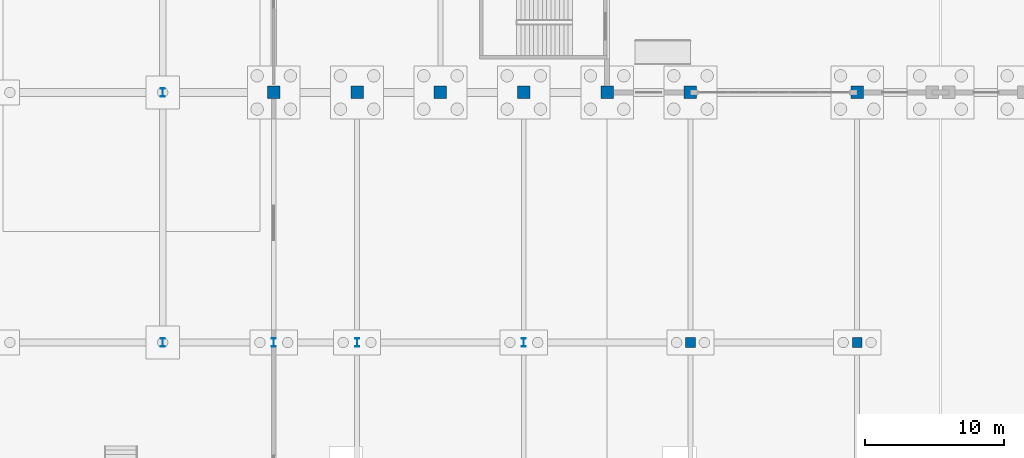
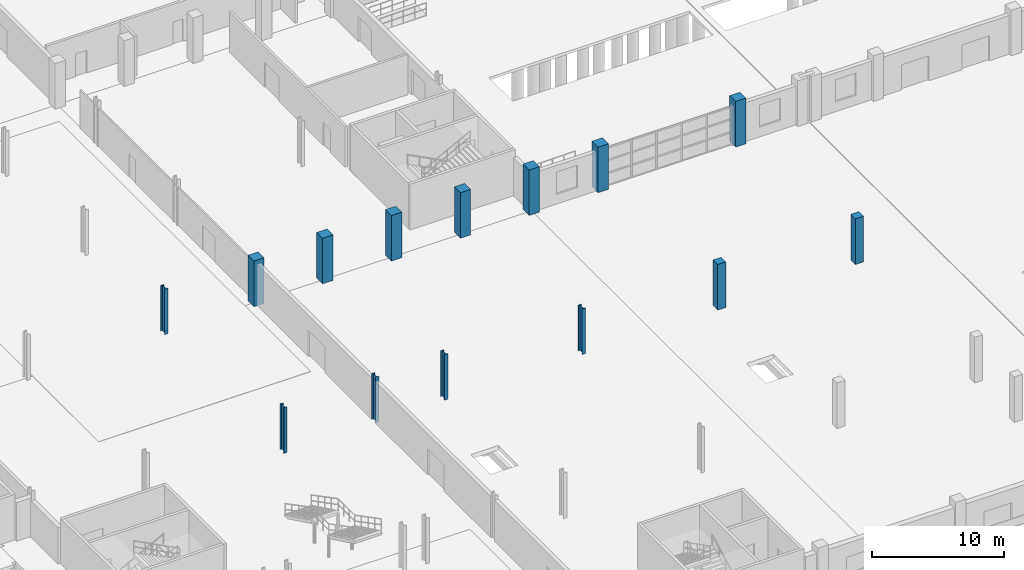
# One storey, part 16 of 77: 14 columns.
"""IFC4 building model written with IfcOpenShell, lengths in metres."""

from ifc_helpers import new_model, si_unit, direction, frame, origin, origin_2d, place, context, subcontext, project, spatial, rectangle, i_section, extrude, material, material_profile, profile_set, type_object, element, save


model = new_model("IFC4")

# Units and contexts
model_context = context("Model", 3, precision=1e-05, world=origin(), true_north=direction((0.0, 1.0)))
body_context = subcontext(model_context, "Body", "Model", "MODEL_VIEW")
ifc_project = project(units=[si_unit("LENGTHUNIT", "METRE"), si_unit("AREAUNIT", "SQUARE_METRE"), si_unit("VOLUMEUNIT", "CUBIC_METRE"), si_unit("PLANEANGLEUNIT", "RADIAN"), si_unit("MASSUNIT", "GRAM", prefix="KILO")], contexts=[model_context])

# Site, building, storey
site_placement = place(None, origin())
site = spatial("IfcSite", under=ifc_project, at=site_placement, CompositionType="ELEMENT")
building_placement = place(site_placement, origin())
building = spatial("IfcBuilding", under=site, at=building_placement, Name="Zilviju Railside Exhibition Hall", CompositionType="ELEMENT")
storey_placement = place(building_placement, origin())
storey = spatial("IfcBuildingStorey", under=building, at=storey_placement, Name="L01", CompositionType="ELEMENT", Elevation=0.0)

# Columns
ifc_material_1 = material(Name="Concrete C35/45", Category="concrete")
ifc_material_profile_1 = material_profile(ifc_material_1, rectangle(XDim=0.699951171875, YDim=0.699951171875, at=origin_2d()), Name="RC COL 700x700")
ifc_profile_set_1 = profile_set([ifc_material_profile_1], Name="Concrete C35/45")
column_type_1 = type_object("IfcColumnType", Name="COL-RC-700", PredefinedType="COLUMN", material=ifc_profile_set_1)
for number, where, z_axis, x_axis, name in (
    (1, (108.0, 36.0, 0.0), (0.0, 0.0, 1.0), (1.0, 0.0, 0.0), "Structural Column L01 (108.0, 36.0)"),
    (2, (120.0, 36.0, 0.0), (0.0, 0.0, 1.0), (1.0, 0.0, 0.0), "Structural Column L01 (120.0, 36.0)"),
):
    element("IfcColumn", number, at=place(storey_placement, frame(where, z_axis=z_axis, x_axis=x_axis)), inside=storey, type_object=column_type_1, Name=name, PredefinedType="COLUMN", context=body_context, shape_type="SweptSolid", body=[
        extrude(rectangle(XDim=0.699951171875, YDim=0.699951171875, at=origin_2d()), origin(), (0.0, 0.0, 1.0), 4.199951171875),
    ])
ifc_material_2 = material(Name="Concrete C40/50", Category="concrete")
ifc_material_profile_2 = material_profile(ifc_material_2, rectangle(XDim=0.89990234375, YDim=0.89990234375, at=origin_2d()), Name="RC COL 900x900")
ifc_profile_set_2 = profile_set([ifc_material_profile_2], Name="Concrete C40/50")
column_type_2 = type_object("IfcColumnType", Name="COL-RC-900", PredefinedType="COLUMN", material=ifc_profile_set_2)
for number, where, z_axis, x_axis, name in (
    (3, (78.0, 54.0, 0.0), (0.0, 0.0, 1.0), (1.0, 0.0, 0.0), "Structural Column L01 (78.0, 54.0)"),
    (4, (84.0, 54.0, 0.0), (0.0, 0.0, 1.0), (1.0, 0.0, 0.0), "Structural Column L01 (84.0, 54.0)"),
    (5, (90.0, 54.0, 0.0), (0.0, 0.0, 1.0), (1.0, 0.0, 0.0), "Structural Column L01 (90.0, 54.0)"),
    (6, (96.0, 54.0, 0.0), (0.0, 0.0, 1.0), (1.0, 0.0, 0.0), "Structural Column L01 (96.0, 54.0)"),
    (7, (102.0, 54.0, 0.0), (0.0, 0.0, 1.0), (1.0, 0.0, 0.0), "Structural Column L01 (102.0, 54.0)"),
    (8, (108.0, 54.0, 0.0), (0.0, 0.0, 1.0), (1.0, 0.0, 0.0), "Structural Column L01 (108.0, 54.0)"),
    (9, (120.0, 54.0, 0.0), (0.0, 0.0, 1.0), (1.0, 0.0, 0.0), "Structural Column L01 (120.0, 54.0)"),
):
    element("IfcColumn", number, at=place(storey_placement, frame(where, z_axis=z_axis, x_axis=x_axis)), inside=storey, type_object=column_type_2, Name=name, PredefinedType="COLUMN", context=body_context, shape_type="SweptSolid", body=[
        extrude(rectangle(XDim=0.89990234375, YDim=0.89990234375, at=origin_2d()), origin(), (0.0, 0.0, 1.0), 4.199951171875),
    ])
ifc_material_3 = material(Name="Steel S355J2", Category="steel")
ifc_material_profile_3 = material_profile(ifc_material_3, i_section(OverallWidth=0.300048828125, OverallDepth=0.60009765625, WebThickness=0.015380859375, FlangeThickness=0.030029296875, at=origin_2d()), Name="HEB 600")
ifc_profile_set_3 = profile_set([ifc_material_profile_3], Name="Steel S355J2")
column_type_3 = type_object("IfcColumnType", Name="COL-ST-HEB600", PredefinedType="COLUMN", material=ifc_profile_set_3)
for number, where, z_axis, x_axis, name in (
    (10, (70.0, 36.0, 0.0), (0.0, 0.0, 1.0), (1.0, 0.0, 0.0), "Structural Column L01 (70.0, 36.0)"),
    (11, (78.0, 36.0, 0.0), (0.0, 0.0, 1.0), (1.0, 0.0, 0.0), "Structural Column L01 (78.0, 36.0)"),
    (12, (84.0, 36.0, 0.0), (0.0, 0.0, 1.0), (1.0, 0.0, 0.0), "Structural Column L01 (84.0, 36.0)"),
    (13, (96.0, 36.0, 0.0), (0.0, 0.0, 1.0), (1.0, 0.0, 0.0), "Structural Column L01 (96.0, 36.0)"),
    (14, (70.0, 54.0, 0.0), (0.0, 0.0, 1.0), (1.0, 0.0, 0.0), "Structural Column L01 (70.0, 54.0)"),
):
    element("IfcColumn", number, at=place(storey_placement, frame(where, z_axis=z_axis, x_axis=x_axis)), inside=storey, type_object=column_type_3, Name=name, PredefinedType="COLUMN", context=body_context, shape_type="SweptSolid", body=[
        extrude(i_section(OverallWidth=0.300048828125, OverallDepth=0.60009765625, WebThickness=0.015380859375, FlangeThickness=0.030029296875, at=origin_2d()), origin(), (0.0, 0.0, 1.0), 4.199951171875),
    ])

save(model, "model.ifc")
